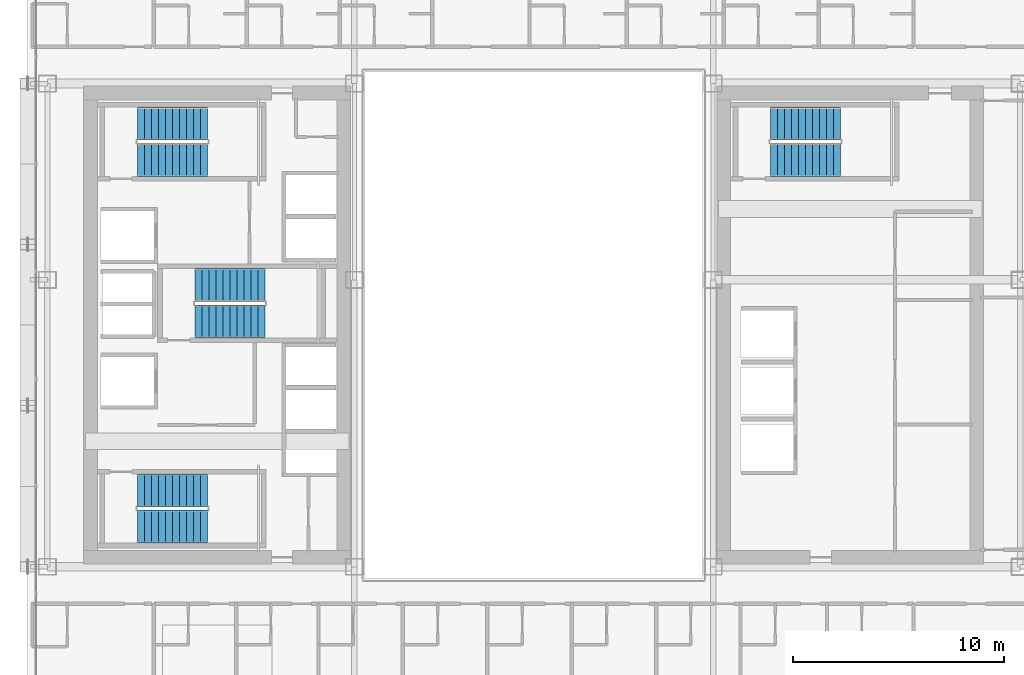
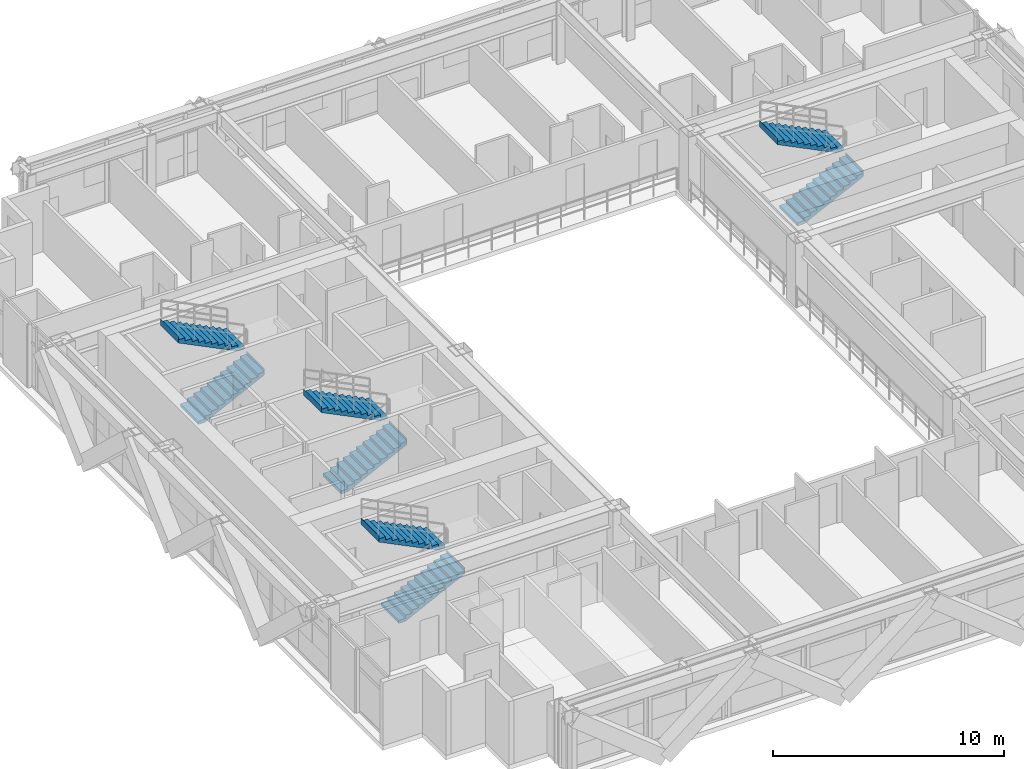
# One storey, part 32 of 36: 8 stair flights, 4 elements without a shape of their own.
"""IFC4 building model written with IfcOpenShell, lengths in metres."""

from ifc_helpers import new_model, si_unit, direction, frame, origin, place, context, subcontext, project, spatial, polyline, outline, extrude, source, transform, mapped, material, type_object, element, aggregate, save


model = new_model("IFC4")

# Units and contexts
model_context = context("Model", 3, precision=1e-05, world=origin(), true_north=direction((0.0, 1.0)))
body_context = subcontext(model_context, "Body", "Model", "MODEL_VIEW")
ifc_project = project(units=[si_unit("LENGTHUNIT", "METRE"), si_unit("AREAUNIT", "SQUARE_METRE"), si_unit("VOLUMEUNIT", "CUBIC_METRE"), si_unit("PLANEANGLEUNIT", "RADIAN"), si_unit("MASSUNIT", "GRAM", prefix="KILO")], contexts=[model_context])

# Site, building, storey
site_placement = place(None, origin())
site = spatial("IfcSite", under=ifc_project, at=site_placement, CompositionType="ELEMENT")
building_placement = place(site_placement, origin())
building = spatial("IfcBuilding", under=site, at=building_placement, Name="Ocotamira Hotel", CompositionType="ELEMENT")
storey_placement = place(building_placement, frame((0.0, 0.0, 136.800048828125)))
storey = spatial("IfcBuildingStorey", under=building, at=storey_placement, Name="L34", CompositionType="ELEMENT", Elevation=136.800048828125)

# Stair, stair flights
ifc_material = material(Name="Concrete C40/50", Category="concrete")
stair_type = type_object("IfcStairType", Name="ST-CORE-1560", PredefinedType="HALF_TURN_STAIR", material=ifc_material)
stair_1_placement = place(storey_placement, origin())
stair_1 = element("IfcStair", 1, at=stair_1_placement, inside=storey, type_object=stair_type, Name="L34 Exit Stair ST-1", PredefinedType="HALF_TURN_STAIR")
stair_flight_type = type_object("IfcStairFlightType", Name="STF-CORE-1560", PredefinedType="STRAIGHT", material=ifc_material)
shared_shape = source(origin(), body_context, "Body", "SweptSolid", [
    extrude(outline(polyline([(-0.00390625, 0.0), (-0.00390625, 0.16357421875), (0.330078125, 0.16357421875), (0.330078125, 0.327392578125), (0.659912109375, 0.327392578125), (0.659912109375, 0.490966796875), (0.989990234375, 0.490966796875), (0.989990234375, 0.654541015625), (1.320068359375, 0.654541015625), (1.320068359375, 0.818115234375), (1.64990234375, 0.818115234375), (1.64990234375, 0.98193359375), (1.97998046875, 0.98193359375), (1.97998046875, 1.1455078125), (2.31005859375, 1.1455078125), (2.31005859375, 1.30908203125), (2.639892578125, 1.30908203125), (2.639892578125, 1.47265625), (2.969970703125, 1.47265625), (2.969970703125, 1.636474609375), (3.300048828125, 1.636474609375), (3.300048828125, 1.800048828125), (3.303955078125, 1.800048828125), (3.303955078125, 1.468994140625), (0.33740234375, 0.0), (-0.00390625, 0.0)])), frame((0.0, 0.780029296875, 0.0), z_axis=(0.0, -1.0, 0.0), x_axis=(1.0, 0.0, 0.0)), (0.0, 0.0, 1.0), 1.56005859375),
])
stair_flight_1_placement = place(storey_placement, frame((13.22998046875, 16.449951171875, 0.0), z_axis=(0.0, 0.0, 1.0), x_axis=(1.0, 0.0, 0.0)))
stair_flight_1 = element("IfcStairFlight", 2, at=stair_flight_1_placement, type_object=stair_flight_type, Name="ST-1 flight 1", NumberOfRisers=11, NumberOfTreads=10, PredefinedType="STRAIGHT", RiserHeight=0.163636364, TreadLength=0.33, context=body_context, shape_type="MappedRepresentation", body=[
    mapped(shared_shape, transform((0.0, 0.0, 0.0), scale=1.0)),
])
stair_flight_2_placement = place(storey_placement, frame((16.530029296875, 18.169921875, 1.800048828125), z_axis=(0.0, 0.0, 1.0), x_axis=(-1.0, 0.0, 0.0)))
stair_flight_2 = element("IfcStairFlight", 3, at=stair_flight_2_placement, type_object=stair_flight_type, Name="ST-1 flight 2", NumberOfRisers=11, NumberOfTreads=10, PredefinedType="STRAIGHT", RiserHeight=0.163636364, TreadLength=0.33, context=body_context, shape_type="MappedRepresentation", body=[
    mapped(shared_shape, transform((0.0, 0.0, 0.0), scale=1.0)),
])
aggregate(stair_1, [stair_flight_1, stair_flight_2])

stair_2_placement = place(storey_placement, origin())
stair_2 = element("IfcStair", 4, at=stair_2_placement, inside=storey, type_object=stair_type, Name="L34 Exit Stair ST-2", PredefinedType="HALF_TURN_STAIR")
stair_flight_3_placement = place(storey_placement, frame((13.22998046875, 33.830078125, 0.0), z_axis=(0.0, 0.0, 1.0), x_axis=(1.0, 0.0, 0.0)))
stair_flight_3 = element("IfcStairFlight", 5, at=stair_flight_3_placement, type_object=stair_flight_type, Name="ST-2 flight 1", NumberOfRisers=11, NumberOfTreads=10, PredefinedType="STRAIGHT", RiserHeight=0.163636364, TreadLength=0.33, context=body_context, shape_type="MappedRepresentation", body=[
    mapped(shared_shape, transform((0.0, 0.0, 0.0), scale=1.0)),
])
stair_flight_4_placement = place(storey_placement, frame((16.530029296875, 35.550048828125, 1.800048828125), z_axis=(0.0, 0.0, 1.0), x_axis=(-1.0, 0.0, 0.0)))
stair_flight_4 = element("IfcStairFlight", 6, at=stair_flight_4_placement, type_object=stair_flight_type, Name="ST-2 flight 2", NumberOfRisers=11, NumberOfTreads=10, PredefinedType="STRAIGHT", RiserHeight=0.163636364, TreadLength=0.33, context=body_context, shape_type="MappedRepresentation", body=[
    mapped(shared_shape, transform((0.0, 0.0, 0.0), scale=1.0)),
])
aggregate(stair_2, [stair_flight_3, stair_flight_4])

stair_3_placement = place(storey_placement, origin())
stair_3 = element("IfcStair", 7, at=stair_3_placement, inside=storey, type_object=stair_type, Name="L34 Exit Stair ST-3", PredefinedType="HALF_TURN_STAIR")
stair_flight_5_placement = place(storey_placement, frame((15.9599609375, 26.179931640625, 0.0), z_axis=(0.0, 0.0, 1.0), x_axis=(1.0, 0.0, 0.0)))
stair_flight_5 = element("IfcStairFlight", 8, at=stair_flight_5_placement, type_object=stair_flight_type, Name="ST-3 flight 1", NumberOfRisers=11, NumberOfTreads=10, PredefinedType="STRAIGHT", RiserHeight=0.163636364, TreadLength=0.33, context=body_context, shape_type="MappedRepresentation", body=[
    mapped(shared_shape, transform((0.0, 0.0, 0.0), scale=1.0)),
])
stair_flight_6_placement = place(storey_placement, frame((19.260009765625, 27.89990234375, 1.800048828125), z_axis=(0.0, 0.0, 1.0), x_axis=(-1.0, 0.0, 0.0)))
stair_flight_6 = element("IfcStairFlight", 9, at=stair_flight_6_placement, type_object=stair_flight_type, Name="ST-3 flight 2", NumberOfRisers=11, NumberOfTreads=10, PredefinedType="STRAIGHT", RiserHeight=0.163636364, TreadLength=0.33, context=body_context, shape_type="MappedRepresentation", body=[
    mapped(shared_shape, transform((0.0, 0.0, 0.0), scale=1.0)),
])
aggregate(stair_3, [stair_flight_5, stair_flight_6])

stair_4_placement = place(storey_placement, origin())
stair_4 = element("IfcStair", 10, at=stair_4_placement, inside=storey, type_object=stair_type, Name="L34 Exit Stair ST-4", PredefinedType="HALF_TURN_STAIR")
stair_flight_7_placement = place(storey_placement, frame((43.22998046875, 33.830078125, 0.0), z_axis=(0.0, 0.0, 1.0), x_axis=(1.0, 0.0, 0.0)))
stair_flight_7 = element("IfcStairFlight", 11, at=stair_flight_7_placement, type_object=stair_flight_type, Name="ST-4 flight 1", NumberOfRisers=11, NumberOfTreads=10, PredefinedType="STRAIGHT", RiserHeight=0.163636364, TreadLength=0.33, context=body_context, shape_type="MappedRepresentation", body=[
    mapped(shared_shape, transform((0.0, 0.0, 0.0), scale=1.0)),
])
stair_flight_8_placement = place(storey_placement, frame((46.530029296875, 35.550048828125, 1.800048828125), z_axis=(0.0, 0.0, 1.0), x_axis=(-1.0, 0.0, 0.0)))
stair_flight_8 = element("IfcStairFlight", 12, at=stair_flight_8_placement, type_object=stair_flight_type, Name="ST-4 flight 2", NumberOfRisers=11, NumberOfTreads=10, PredefinedType="STRAIGHT", RiserHeight=0.163636364, TreadLength=0.33, context=body_context, shape_type="MappedRepresentation", body=[
    mapped(shared_shape, transform((0.0, 0.0, 0.0), scale=1.0)),
])
aggregate(stair_4, [stair_flight_7, stair_flight_8])

save(model, "model.ifc")
